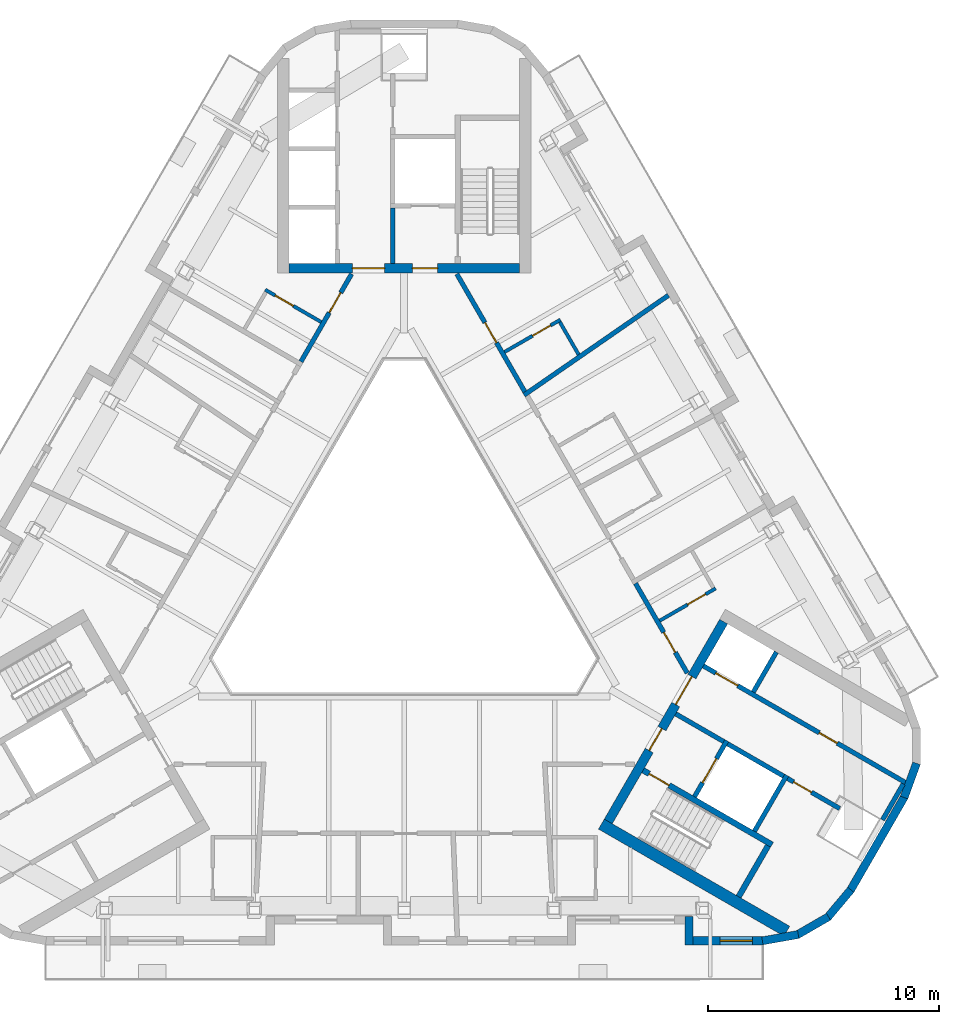
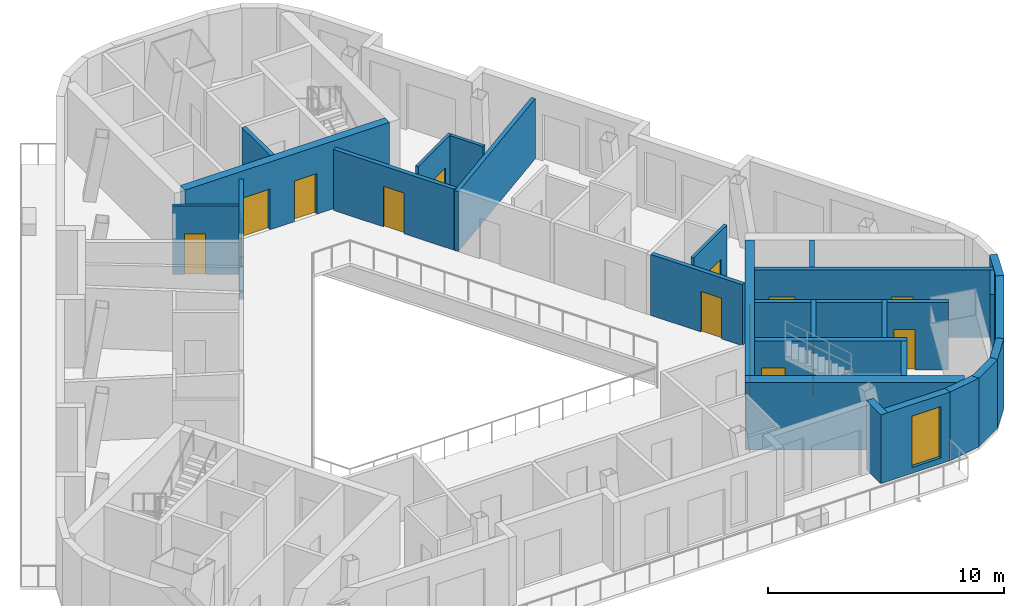
# One storey, part 5 of 11: 29 walls, 15 doors, 1 window, 16 openings.
"""IFC4 building model written with IfcOpenShell, lengths in metres."""

from ifc_helpers import new_model, si_unit, direction, frame, frame_2d, origin, place, context, subcontext, project, spatial, rectangle, extrude, material, layer, layer_set, type_object, element, fill, save


model = new_model("IFC4")

# Units and contexts
model_context = context("Model", 3, precision=1e-05, world=origin(), true_north=direction((0.0, 1.0)))
body_context = subcontext(model_context, "Body", "Model", "MODEL_VIEW")
ifc_project = project(units=[si_unit("LENGTHUNIT", "METRE"), si_unit("AREAUNIT", "SQUARE_METRE"), si_unit("VOLUMEUNIT", "CUBIC_METRE"), si_unit("PLANEANGLEUNIT", "RADIAN"), si_unit("MASSUNIT", "GRAM", prefix="KILO")], contexts=[model_context])

# Site, building, storey
site_placement = place(None, origin())
site = spatial("IfcSite", under=ifc_project, at=site_placement, CompositionType="ELEMENT")
building_placement = place(site_placement, origin())
building = spatial("IfcBuilding", under=site, at=building_placement, Name="Apuvela Tower Hotel", CompositionType="ELEMENT")
storey_placement = place(building_placement, frame((0.0, 0.0, 320.699951171875)))
storey = spatial("IfcBuildingStorey", under=building, at=storey_placement, Name="L80", CompositionType="ELEMENT", Elevation=320.699951171875)

# Wall, openings, doors
ifc_material_1 = material(Name="Concrete C50/60", Category="concrete")
ifc_layer_1 = layer(ifc_material_1, 0.39990234375)
ifc_layer_set_1 = layer_set([ifc_layer_1], Name="COR-WALL-CORE-400")
wall_type_1 = type_object("IfcWallType", Name="COR-WALL-CORE-400", PredefinedType="SHEAR", material=ifc_layer_set_1)
wall_1_placement = place(storey_placement, frame((5.0, 13.10009765625, 0.0), z_axis=(0.0, 0.0, 1.0), x_axis=(-1.0, 0.0, 0.0)))
wall_1 = element("IfcWall", 1, at=wall_1_placement, inside=storey, type_object=wall_type_1, Name="Core wall N", PredefinedType="SHEAR", context=body_context, shape_type="SweptSolid", body=[
    extrude(rectangle(XDim=10.0, YDim=0.39990234375, at=frame_2d((5.0, 0.0))), origin(), (0.0, 0.0, 1.0), 3.5),
])
opening_1_placement = place(wall_1_placement, frame((3.550048828125, 0.0, 0.0)))
opening_1 = element("IfcOpeningElement", 2, at=opening_1_placement, cuts=wall_1, Name="Opening N-FD", PredefinedType="OPENING", context=body_context, shape_type="SweptSolid", body=[
    extrude(rectangle(XDim=1.10009765625, YDim=2.10009765625, at=frame_2d((0.550048828125, 1.050048828125))), frame((0.0, 0.2099609375, 0.0), z_axis=(0.0, -1.0, 0.0), x_axis=(1.0, 0.0, 0.0)), (0.0, 0.0, 1.0), 0.419921875),
])
opening_2_placement = place(wall_1_placement, frame((5.85009765625, 0.0, 0.0)))
opening_2 = element("IfcOpeningElement", 3, at=opening_2_placement, cuts=wall_1, Name="Opening N-GD", PredefinedType="OPENING", context=body_context, shape_type="SweptSolid", body=[
    extrude(rectangle(XDim=1.39990234375, YDim=2.10009765625, at=frame_2d((0.699951171875, 1.050048828125))), frame((0.0, 0.2099609375, 0.0), z_axis=(0.0, -1.0, 0.0), x_axis=(1.0, 0.0, 0.0)), (0.0, 0.0, 1.0), 0.419921875),
])
ifc_material_2 = material(Name="Steel fire door, powder coated", Category="steel")
door_type_1 = type_object("IfcDoorType", Name="COR-FD-1100", OperationType="NOTDEFINED", PredefinedType="DOOR", material=ifc_material_2)
door_1_placement = place(opening_1_placement, frame((1.10009765625, 0.0, 0.0), z_axis=(0.0, 0.0, 1.0), x_axis=(-1.0, 0.0, 0.0)))
door_1 = element("IfcDoor", 4, at=door_1_placement, inside=storey, type_object=door_type_1, Name="Firefighting lobby door N-FD", OperationType="SINGLE_SWING_LEFT", OverallHeight=2.10009765625, OverallWidth=1.10009765625, PredefinedType="DOOR", context=body_context, shape_type="SweptSolid", body=[
    extrude(rectangle(XDim=1.10009765625, YDim=2.10009765625, at=frame_2d((0.550048828125, 1.050048828125))), frame((0.0, 0.02490234375, 0.0), z_axis=(0.0, -1.0, 0.0), x_axis=(1.0, 0.0, 0.0)), (0.0, 0.0, 1.0), 0.050048828125),
])
fill(opening_1, door_1)
ifc_material_3 = material(Name="Glazed steel fire door", Category="steel")
door_type_2 = type_object("IfcDoorType", Name="COR-GD-1400", OperationType="DOUBLE_DOOR_SINGLE_SWING", PredefinedType="DOOR", material=ifc_material_3)
door_2_placement = place(opening_2_placement, frame((1.39990234375, 0.0, 0.0), z_axis=(0.0, 0.0, 1.0), x_axis=(-1.0, 0.0, 0.0)))
door_2 = element("IfcDoor", 5, at=door_2_placement, inside=storey, type_object=door_type_2, Name="Lift lobby door N-GD", OperationType="DOUBLE_DOOR_SINGLE_SWING", OverallHeight=2.10009765625, OverallWidth=1.39990234375, PredefinedType="DOOR", context=body_context, shape_type="SweptSolid", body=[
    extrude(rectangle(XDim=1.39990234375, YDim=2.10009765625, at=frame_2d((0.699951171875, 1.050048828125))), frame((0.0, 0.02490234375, 0.0), z_axis=(0.0, -1.0, 0.0), x_axis=(1.0, 0.0, 0.0)), (0.0, 0.0, 1.0), 0.050048828125),
])
fill(opening_2, door_2)

wall_2_placement = place(storey_placement, frame((8.844970703125, -10.880126953125, 0.0), z_axis=(0.0, 0.0, 1.0), x_axis=(0.500004234368, 0.866022959057, 0.0)))
wall_2 = element("IfcWall", 6, at=wall_2_placement, inside=storey, type_object=wall_type_1, Name="Core wall SE", PredefinedType="SHEAR", context=body_context, shape_type="SweptSolid", body=[
    extrude(rectangle(XDim=10.0, YDim=0.39990234375, at=frame_2d((5.0, 0.0))), origin(), (0.0, 0.0, 1.0), 3.5),
])
opening_3_placement = place(wall_2_placement, frame((3.550048828125, 0.0, 0.0)))
opening_3 = element("IfcOpeningElement", 7, at=opening_3_placement, cuts=wall_2, Name="Opening E-FD", PredefinedType="OPENING", context=body_context, shape_type="SweptSolid", body=[
    extrude(rectangle(XDim=1.10009765625, YDim=2.10009765625, at=frame_2d((0.550048828125, 1.050048828125))), frame((0.0, 0.2099609375, 0.0), z_axis=(0.0, -1.0, 0.0), x_axis=(1.0, 0.0, 0.0)), (0.0, 0.0, 1.0), 0.419921875),
])
opening_4_placement = place(wall_2_placement, frame((5.85009765625, 0.0, 0.0)))
opening_4 = element("IfcOpeningElement", 8, at=opening_4_placement, cuts=wall_2, Name="Opening E-GD", PredefinedType="OPENING", context=body_context, shape_type="SweptSolid", body=[
    extrude(rectangle(XDim=1.39990234375, YDim=2.10009765625, at=frame_2d((0.699951171875, 1.050048828125))), frame((0.0, 0.2099609375, 0.0), z_axis=(0.0, -1.0, 0.0), x_axis=(1.0, 0.0, 0.0)), (0.0, 0.0, 1.0), 0.419921875),
])
door_3_placement = place(opening_3_placement, frame((1.10009765625, 0.0, 0.0), z_axis=(0.0, 0.0, 1.0), x_axis=(-1.0, 0.0, 0.0)))
door_3 = element("IfcDoor", 9, at=door_3_placement, inside=storey, type_object=door_type_1, Name="Firefighting lobby door E-FD", OperationType="SINGLE_SWING_LEFT", OverallHeight=2.10009765625, OverallWidth=1.10009765625, PredefinedType="DOOR", context=body_context, shape_type="SweptSolid", body=[
    extrude(rectangle(XDim=1.10009765625, YDim=2.10009765625, at=frame_2d((0.550048828125, 1.050048828125))), frame((0.0, 0.02490234375, 0.0), z_axis=(0.0, -1.0, 0.0), x_axis=(1.0, 0.0, 0.0)), (0.0, 0.0, 1.0), 0.050048828125),
])
fill(opening_3, door_3)
door_4_placement = place(opening_4_placement, frame((1.39990234375, 0.0, 0.0), z_axis=(0.0, 0.0, 1.0), x_axis=(-1.0, 0.0, 0.0)))
door_4 = element("IfcDoor", 10, at=door_4_placement, inside=storey, type_object=door_type_2, Name="Lift lobby door E-GD", OperationType="DOUBLE_DOOR_SINGLE_SWING", OverallHeight=2.10009765625, OverallWidth=1.39990234375, PredefinedType="DOOR", context=body_context, shape_type="SweptSolid", body=[
    extrude(rectangle(XDim=1.39990234375, YDim=2.10009765625, at=frame_2d((0.699951171875, 1.050048828125))), frame((0.0, 0.02490234375, 0.0), z_axis=(0.0, -1.0, 0.0), x_axis=(1.0, 0.0, 0.0)), (0.0, 0.0, 1.0), 0.050048828125),
])
fill(opening_4, door_4)

# Walls
ifc_layer_2 = layer(ifc_material_1, 0.5)
ifc_layer_set_2 = layer_set([ifc_layer_2], Name="COR-WALL-CORE-500")
wall_type_2 = type_object("IfcWallType", Name="COR-WALL-CORE-500", PredefinedType="SHEAR", material=ifc_layer_set_2)
wall_3_placement = place(storey_placement, frame((8.546630859375, -10.99658203125, 0.0), z_axis=(0.0, 0.0, 1.0), x_axis=(0.866025286072, -0.500000203884, 0.0)))
element("IfcWall", 11, at=wall_3_placement, inside=storey, type_object=wall_type_2, Name="Core wall SE", PredefinedType="SHEAR", context=body_context, shape_type="SweptSolid", body=[
    extrude(rectangle(XDim=9.28271484375, YDim=0.5, at=frame_2d((4.641357421875, 0.0))), origin(), (0.0, 0.0, 1.0), 3.5),
])
ifc_layer_3 = layer(ifc_material_1, 0.199951171875)
ifc_layer_set_3 = layer_set([ifc_layer_3], Name="COR-WALL-SHAFT-200")
wall_type_3 = type_object("IfcWallType", Name="COR-WALL-SHAFT-200", PredefinedType="SHEAR", material=ifc_layer_set_3)
wall_4_placement = place(storey_placement, frame((-0.5, 13.300048828125, 0.0), z_axis=(0.0, 0.0, 1.0), x_axis=(0.0, 1.0, 0.0)))
element("IfcWall", 12, at=wall_4_placement, inside=storey, type_object=wall_type_3, Name="Shaft wall N", PredefinedType="SHEAR", context=body_context, shape_type="SweptSolid", body=[
    extrude(rectangle(XDim=2.39990234375, YDim=0.199951171875, at=frame_2d((1.199951171875, 0.0))), origin(), (0.0, 0.0, 1.0), 3.5),
])
wall_5_placement = place(storey_placement, frame((15.181396484375, -11.305419921875, 0.0), z_axis=(0.0, 0.0, 1.0), x_axis=(0.49994636267, 0.866056369097, 0.0)))
element("IfcWall", 13, at=wall_5_placement, inside=storey, type_object=wall_type_3, Name="Shaft wall SE", PredefinedType="SHEAR", context=body_context, shape_type="SweptSolid", body=[
    extrude(rectangle(XDim=2.800048828125, YDim=0.199951171875, at=frame_2d((1.39990234375, 0.0))), origin(), (0.0, 0.0, 1.0), 3.5),
])

# Wall, opening, door
wall_6_placement = place(storey_placement, frame((12.583251953125, -9.805419921875, 0.0), z_axis=(0.0, 0.0, 1.0), x_axis=(0.49994636267, 0.866056369097, 0.0)))
wall_6 = element("IfcWall", 14, at=wall_6_placement, inside=storey, type_object=wall_type_3, Name="Shaft wall SE", PredefinedType="SHEAR", context=body_context, shape_type="SweptSolid", body=[
    extrude(rectangle(XDim=2.800048828125, YDim=0.199951171875, at=frame_2d((1.39990234375, 0.0))), origin(), (0.0, 0.0, 1.0), 3.5),
])
opening_5_placement = place(wall_6_placement, frame((0.699951171875, 0.0, 0.0)))
opening_5 = element("IfcOpeningElement", 15, at=opening_5_placement, cuts=wall_6, Name="Opening E-LD-FS3", PredefinedType="OPENING", context=body_context, shape_type="SweptSolid", body=[
    extrude(rectangle(XDim=1.199951171875, YDim=2.10009765625, at=frame_2d((0.60009765625, 1.050048828125))), frame((0.0, 0.10986328125, 0.0), z_axis=(0.0, -1.0, 0.0), x_axis=(1.0, 0.0, 0.0)), (0.0, 0.0, 1.0), 0.219970703125),
])
ifc_material_4 = material(Name="Stainless steel lift landing door", Category="steel")
door_type_3 = type_object("IfcDoorType", Name="COR-LD-1200", OperationType="DOUBLE_DOOR_SLIDING", PredefinedType="DOOR", material=ifc_material_4)
door_5_placement = place(opening_5_placement, origin())
door_5 = element("IfcDoor", 16, at=door_5_placement, inside=storey, type_object=door_type_3, Name="Lift landing door E-LD-FS3", OperationType="DOUBLE_DOOR_SLIDING", OverallHeight=2.10009765625, OverallWidth=1.199951171875, PredefinedType="DOOR", context=body_context, shape_type="SweptSolid", body=[
    extrude(rectangle(XDim=1.199951171875, YDim=2.10009765625, at=frame_2d((0.60009765625, 1.050048828125))), frame((0.0, 0.02490234375, 0.0), z_axis=(0.0, -1.0, 0.0), x_axis=(1.0, 0.0, 0.0)), (0.0, 0.0, 1.0), 0.050048828125),
])
fill(opening_5, door_5)

# Walls
wall_7_placement = place(storey_placement, frame((11.76806640625, -6.217041015625, 0.0), z_axis=(0.0, 0.0, 1.0), x_axis=(0.866050077142, -0.499957262057, 0.0)))
element("IfcWall", 17, at=wall_7_placement, inside=storey, type_object=wall_type_3, Name="Shaft wall SE", PredefinedType="SHEAR", context=body_context, shape_type="SweptSolid", body=[
    extrude(rectangle(XDim=2.400146484375, YDim=0.199951171875, at=frame_2d((1.2001953125, 0.0))), origin(), (0.0, 0.0, 1.0), 3.5),
])
wall_8_placement = place(storey_placement, frame((14.019775390625, -7.51708984375, 0.0), z_axis=(0.0, 0.0, 1.0), x_axis=(0.866034573852, -0.49998411664, 0.0)))
element("IfcWall", 18, at=wall_8_placement, inside=storey, type_object=wall_type_3, Name="Shaft wall SE", PredefinedType="SHEAR", context=body_context, shape_type="SweptSolid", body=[
    extrude(rectangle(XDim=2.7998046875, YDim=0.199951171875, at=frame_2d((1.39990234375, 0.0))), origin(), (0.0, 0.0, 1.0), 3.5),
])

# Wall, openings, doors
wall_9_placement = place(storey_placement, frame((12.968017578125, -4.138427734375, 0.0), z_axis=(0.0, 0.0, 1.0), x_axis=(0.866025710499, -0.499999468754, 0.0)))
wall_9 = element("IfcWall", 19, at=wall_9_placement, inside=storey, type_object=wall_type_3, Name="Shaft wall SE", PredefinedType="SHEAR", context=body_context, shape_type="SweptSolid", body=[
    extrude(rectangle(XDim=10.12109375, YDim=0.199951171875, at=frame_2d((5.060546875, 0.0))), origin(), (0.0, 0.0, 1.0), 3.5),
])
opening_6_placement = place(wall_9_placement, frame((0.6201171875, 0.0, 0.0)))
opening_6 = element("IfcOpeningElement", 20, at=opening_6_placement, cuts=wall_9, Name="Opening E-LD-HR3", PredefinedType="OPENING", context=body_context, shape_type="SweptSolid", body=[
    extrude(rectangle(XDim=1.10009765625, YDim=2.10009765625, at=frame_2d((0.550048828125, 1.050048828125))), frame((0.0, 0.10986328125, 0.0), z_axis=(0.0, -1.0, 0.0), x_axis=(1.0, 0.0, 0.0)), (0.0, 0.0, 1.0), 0.219970703125),
])
opening_7_placement = place(wall_9_placement, frame((5.800048828125, 0.0, 0.0)))
opening_7 = element("IfcOpeningElement", 21, at=opening_7_placement, cuts=wall_9, Name="Opening E-RE2", PredefinedType="OPENING", context=body_context, shape_type="SweptSolid", body=[
    extrude(rectangle(XDim=0.89990234375, YDim=2.10009765625, at=frame_2d((0.449951171875, 1.050048828125))), frame((0.0, 0.10986328125, 0.0), z_axis=(0.0, -1.0, 0.0), x_axis=(1.0, 0.0, 0.0)), (0.0, 0.0, 1.0), 0.219970703125),
])
door_type_4 = type_object("IfcDoorType", Name="COR-DR-900", OperationType="NOTDEFINED", PredefinedType="DOOR", material=ifc_material_2)
door_6_placement = place(opening_7_placement, origin())
door_6 = element("IfcDoor", 22, at=door_6_placement, inside=storey, type_object=door_type_4, Name="Store door E-RE2", OperationType="SINGLE_SWING_LEFT", OverallHeight=2.10009765625, OverallWidth=0.89990234375, PredefinedType="DOOR", context=body_context, shape_type="SweptSolid", body=[
    extrude(rectangle(XDim=0.89990234375, YDim=2.10009765625, at=frame_2d((0.449951171875, 1.050048828125))), frame((0.0, 0.02490234375, 0.0), z_axis=(0.0, -1.0, 0.0), x_axis=(1.0, 0.0, 0.0)), (0.0, 0.0, 1.0), 0.050048828125),
])
fill(opening_7, door_6)
door_type_5 = type_object("IfcDoorType", Name="COR-LD-1100", OperationType="DOUBLE_DOOR_SLIDING", PredefinedType="DOOR", material=ifc_material_4)
door_7_placement = place(opening_6_placement, origin())
door_7 = element("IfcDoor", 23, at=door_7_placement, inside=storey, type_object=door_type_5, Name="Lift landing door E-LD-HR3", OperationType="DOUBLE_DOOR_SLIDING", OverallHeight=2.10009765625, OverallWidth=1.10009765625, PredefinedType="DOOR", context=body_context, shape_type="SweptSolid", body=[
    extrude(rectangle(XDim=1.10009765625, YDim=2.10009765625, at=frame_2d((0.550048828125, 1.050048828125))), frame((0.0, 0.02490234375, 0.0), z_axis=(0.0, -1.0, 0.0), x_axis=(1.0, 0.0, 0.0)), (0.0, 0.0, 1.0), 0.050048828125),
])
fill(opening_6, door_7)

# Wall
wall_10_placement = place(storey_placement, frame((20.73046875, -10.81396484375, 0.0), z_axis=(0.0, 0.0, 1.0), x_axis=(0.499961193289, 0.866047807691, 0.0)))
element("IfcWall", 24, at=wall_10_placement, inside=storey, type_object=wall_type_3, Name="Shaft wall SE", PredefinedType="SHEAR", context=body_context, shape_type="SweptSolid", body=[
    extrude(rectangle(XDim=1.800048828125, YDim=0.199951171875, at=frame_2d((0.89990234375, 0.0))), origin(), (0.0, 0.0, 1.0), 3.5),
])

# Wall, opening, door
wall_11_placement = place(storey_placement, frame((16.617919921875, -9.01708984375, 0.0), z_axis=(0.0, 0.0, 1.0), x_axis=(0.866045268016, -0.499965592563, 0.0)))
wall_11 = element("IfcWall", 25, at=wall_11_placement, inside=storey, type_object=wall_type_3, Name="Shaft wall SE", PredefinedType="SHEAR", context=body_context, shape_type="SweptSolid", body=[
    extrude(rectangle(XDim=2.607666015625, YDim=0.199951171875, at=frame_2d((1.3037109375, 0.0))), origin(), (0.0, 0.0, 1.0), 3.5),
])
opening_8_placement = place(wall_11_placement, frame((0.300048828125, 0.0, 0.0)))
opening_8 = element("IfcOpeningElement", 26, at=opening_8_placement, cuts=wall_11, Name="Opening E-RDU", PredefinedType="OPENING", context=body_context, shape_type="SweptSolid", body=[
    extrude(rectangle(XDim=0.89990234375, YDim=2.10009765625, at=frame_2d((0.449951171875, 1.050048828125))), frame((0.0, 0.10986328125, 0.0), z_axis=(0.0, -1.0, 0.0), x_axis=(1.0, 0.0, 0.0)), (0.0, 0.0, 1.0), 0.219970703125),
])
door_8_placement = place(opening_8_placement, frame((0.89990234375, 0.0, 0.0), z_axis=(0.0, 0.0, 1.0), x_axis=(-1.0, 0.0, 0.0)))
door_8 = element("IfcDoor", 27, at=door_8_placement, inside=storey, type_object=door_type_4, Name="Store door E-RDU", OperationType="SINGLE_SWING_RIGHT", OverallHeight=2.10009765625, OverallWidth=0.89990234375, PredefinedType="DOOR", context=body_context, shape_type="SweptSolid", body=[
    extrude(rectangle(XDim=0.89990234375, YDim=2.10009765625, at=frame_2d((0.449951171875, 1.050048828125))), frame((0.0, 0.02490234375, 0.0), z_axis=(0.0, -1.0, 0.0), x_axis=(1.0, 0.0, 0.0)), (0.0, 0.0, 1.0), 0.050048828125),
])
fill(opening_8, door_8)

# Wall
wall_12_placement = place(storey_placement, frame((15.131103515625, -5.27197265625, 0.0), z_axis=(0.0, 0.0, 1.0), x_axis=(0.499972520799, 0.866041268327, 0.0)))
element("IfcWall", 28, at=wall_12_placement, inside=storey, type_object=wall_type_3, Name="Shaft wall SE", PredefinedType="SHEAR", context=body_context, shape_type="SweptSolid", body=[
    extrude(rectangle(XDim=2.0, YDim=0.199951171875, at=frame_2d((1.0, 0.0))), origin(), (0.0, 0.0, 1.0), 3.5),
])

# Wall, opening, door
ifc_layer_4 = layer(ifc_material_1, 0.25)
ifc_layer_set_4 = layer_set([ifc_layer_4], Name="COR-WALL-STAIR-250")
wall_type_4 = type_object("IfcWallType", Name="COR-WALL-STAIR-250", PredefinedType="SHEAR", material=ifc_layer_set_4)
wall_13_placement = place(storey_placement, frame((10.355712890625, -8.66357421875, 0.0), z_axis=(0.0, 0.0, 1.0), x_axis=(0.866028629588, -0.499994412703, 0.0)))
wall_13 = element("IfcWall", 29, at=wall_13_placement, inside=storey, type_object=wall_type_4, Name="Stair wall SE", PredefinedType="SHEAR", context=body_context, shape_type="SweptSolid", body=[
    extrude(rectangle(XDim=6.44970703125, YDim=0.25, at=frame_2d((3.224853515625, 0.0))), origin(), (0.0, 0.0, 1.0), 3.5),
])
opening_9_placement = place(wall_13_placement, frame((0.300048828125, 0.0, 0.0)))
opening_9 = element("IfcOpeningElement", 30, at=opening_9_placement, cuts=wall_13, Name="Opening E-SD", PredefinedType="OPENING", context=body_context, shape_type="SweptSolid", body=[
    extrude(rectangle(XDim=1.0, YDim=2.10009765625, at=frame_2d((0.5, 1.050048828125))), frame((0.0, 0.135009765625, 0.0), z_axis=(0.0, -1.0, 0.0), x_axis=(1.0, 0.0, 0.0)), (0.0, 0.0, 1.0), 0.27001953125),
])
door_type_6 = type_object("IfcDoorType", Name="COR-SD-1000", OperationType="NOTDEFINED", PredefinedType="DOOR", material=ifc_material_2)
door_9_placement = place(opening_9_placement, frame((1.0, 0.0, 0.0), z_axis=(0.0, 0.0, 1.0), x_axis=(-1.0, 0.0, 0.0)))
door_9 = element("IfcDoor", 31, at=door_9_placement, inside=storey, type_object=door_type_6, Name="Stair door E-SD", OperationType="SINGLE_SWING_LEFT", OverallHeight=2.10009765625, OverallWidth=1.0, PredefinedType="DOOR", context=body_context, shape_type="SweptSolid", body=[
    extrude(rectangle(XDim=1.0, YDim=2.10009765625, at=frame_2d((0.5, 1.050048828125))), frame((0.0, 0.02490234375, 0.0), z_axis=(0.0, -1.0, 0.0), x_axis=(1.0, 0.0, 0.0)), (0.0, 0.0, 1.0), 0.050048828125),
])
fill(opening_9, door_9)

# Walls
wall_14_placement = place(storey_placement, frame((14.49560546875, -14.142578125, 0.0), z_axis=(0.0, 0.0, 1.0), x_axis=(0.500062241894, 0.865989465428, 0.0)))
element("IfcWall", 32, at=wall_14_placement, inside=storey, type_object=wall_type_4, Name="Stair wall SE", PredefinedType="SHEAR", context=body_context, shape_type="SweptSolid", body=[
    extrude(rectangle(XDim=2.550048828125, YDim=0.25, at=frame_2d((1.27490234375, 0.0))), origin(), (0.0, 0.0, 1.0), 3.5),
])
ifc_material_5 = material(Name="Concrete C40/50, dark pigmented precast panel", Category="concrete")
ifc_layer_5 = layer(ifc_material_5, 0.35009765625)
ifc_layer_set_5 = layer_set([ifc_layer_5], Name="ENV-WALL-350")
wall_type_5 = type_object("IfcWallType", Name="ENV-WALL-350", PredefinedType="SOLIDWALL", material=ifc_layer_set_5)
wall_15_placement = place(storey_placement, frame((12.33642578125, -15.007568359375, 0.0), z_axis=(0.0, 0.0, 1.0), x_axis=(0.0, -1.0, 0.0)))
element("IfcWall", 33, at=wall_15_placement, inside=storey, type_object=wall_type_5, Name="External wall L80-24", PredefinedType="SOLIDWALL", context=body_context, shape_type="SweptSolid", body=[
    extrude(rectangle(XDim=1.219970703125, YDim=0.35009765625, at=frame_2d((0.60986328125, 0.0))), origin(), (0.0, 0.0, 1.0), 3.550048828125),
])

# Wall, opening, window
wall_16_placement = place(storey_placement, frame((12.161376953125, -16.052490234375, 0.0), z_axis=(0.0, 0.0, 1.0), x_axis=(1.0, 0.0, 0.0)))
wall_16 = element("IfcWall", 34, at=wall_16_placement, inside=storey, type_object=wall_type_5, Name="External wall L80-25", PredefinedType="SOLIDWALL", context=body_context, shape_type="SweptSolid", body=[
    extrude(rectangle(XDim=3.39306640625, YDim=0.35009765625, at=frame_2d((1.696533203125, 0.0))), origin(), (0.0, 0.0, 1.0), 3.550048828125),
])
opening_10_placement = place(wall_16_placement, frame((1.530517578125, 0.0, 0.300048828125)))
opening_10 = element("IfcOpeningElement", 35, at=opening_10_placement, cuts=wall_16, Name="Opening WN14", PredefinedType="OPENING", context=body_context, shape_type="SweptSolid", body=[
    extrude(rectangle(XDim=1.39990234375, YDim=2.64990234375, at=frame_2d((0.699951171875, 1.324951171875))), frame((0.0, 0.18505859375, 0.0), z_axis=(0.0, -1.0, 0.0), x_axis=(1.0, 0.0, 0.0)), (0.0, 0.0, 1.0), 0.3701171875),
])
ifc_material_6 = material(Name="Glass, dark tinted laminated insulated glazing unit", Category="glass")
window_type = type_object("IfcWindowType", Name="ENV-WIN-1400x2650", PartitioningType="SINGLE_PANEL", PredefinedType="WINDOW", material=ifc_material_6)
window_placement = place(opening_10_placement, origin())
window = element("IfcWindow", 36, at=window_placement, inside=storey, type_object=window_type, Name="Window WN14", OverallHeight=2.64990234375, OverallWidth=1.39990234375, PartitioningType="SINGLE_PANEL", PredefinedType="WINDOW", context=body_context, shape_type="SweptSolid", body=[
    extrude(rectangle(XDim=1.39990234375, YDim=2.64990234375, at=frame_2d((0.699951171875, 1.324951171875))), frame((0.0, 0.030029296875, 0.0), z_axis=(0.0, -1.0, 0.0), x_axis=(1.0, 0.0, 0.0)), (0.0, 0.0, 1.0), 0.06005859375),
])
fill(opening_10, window)

# Walls
for number, where, z_axis, x_axis, name in (
    (37, (15.52392578125, -16.05517578125, 0.0), (0.0, 0.0, 1.0), (0.984813116036, 0.173617759703, 0.0), "External wall L80-26"),
    (38, (17.02197265625, -15.8017578125, 0.0), (0.0, 0.0, 1.0), (0.866007919525, 0.500030282404, 0.0), "External wall L80-27"),
    (39, (18.343017578125, -15.05126953125, 0.0), (0.0, 0.0, 1.0), (0.642720587594, 0.766100676336, 0.0), "External wall L80-28"),
):
    element("IfcWall", number, at=place(storey_placement, frame(where, z_axis=z_axis, x_axis=x_axis)), inside=storey, type_object=wall_type_5, Name=name, PredefinedType="SOLIDWALL", context=body_context, shape_type="SweptSolid", body=[
        extrude(rectangle(XDim=1.5791015625, YDim=0.35009765625, at=frame_2d((0.78955078125, 0.0))), origin(), (0.0, 0.0, 1.0), 3.550048828125),
    ])
wall_17_placement = place(storey_placement, frame((19.34033203125, -13.86669921875, 0.0), z_axis=(0.0, 0.0, 1.0), x_axis=(0.500023656998, 0.86601174498, 0.0)))
element("IfcWall", 40, at=wall_17_placement, inside=storey, type_object=wall_type_5, Name="External wall L80-29", PredefinedType="SOLIDWALL", context=body_context, shape_type="SweptSolid", body=[
    extrude(rectangle(XDim=4.677490234375, YDim=0.35009765625, at=frame_2d((2.3388671875, 0.0))), origin(), (0.0, 0.0, 1.0), 3.550048828125),
])
wall_18_placement = place(storey_placement, frame((21.666259765625, -9.84375, 0.0), z_axis=(0.0, 0.0, 1.0), x_axis=(0.341991325642, 0.939703109065, 0.0)))
element("IfcWall", 41, at=wall_18_placement, inside=storey, type_object=wall_type_5, Name="External wall L80-30", PredefinedType="SOLIDWALL", context=body_context, shape_type="SweptSolid", body=[
    extrude(rectangle(XDim=1.5791015625, YDim=0.35009765625, at=frame_2d((0.78955078125, 0.0))), origin(), (0.0, 0.0, 1.0), 3.550048828125),
])
ifc_material_7 = material(Name="Gypsum board partition on twin steel stud", Category="steel")
ifc_layer_6 = layer(ifc_material_7, 0.199951171875)
ifc_layer_set_6 = layer_set([ifc_layer_6], Name="GST-PW1")
wall_type_6 = type_object("IfcWallType", Name="GST-PW1", PredefinedType="PARTITIONING", material=ifc_layer_set_6)
wall_19_placement = place(storey_placement, frame((11.4501953125, 11.922607421875, 0.0), z_axis=(0.0, 0.0, 1.0), x_axis=(-0.822640491705, -0.56856188881, 0.0)))
element("IfcWall", 42, at=wall_19_placement, inside=storey, type_object=wall_type_6, Name="L80 partition 07", PredefinedType="PARTITIONING", context=body_context, shape_type="SweptSolid", body=[
    extrude(rectangle(XDim=7.6025390625, YDim=0.199951171875, at=frame_2d((3.80126953125, 0.0))), origin(), (0.0, 0.0, 1.0), 3.10009765625),
])

# Wall, opening, door
ifc_material_8 = material(Name="Gypsum board corridor wall on twin steel stud, acoustic", Category="steel")
ifc_layer_7 = layer(ifc_material_8, 0.199951171875)
ifc_layer_set_7 = layer_set([ifc_layer_7], Name="GST-PW2")
wall_type_7 = type_object("IfcWallType", Name="GST-PW2", PredefinedType="PARTITIONING", material=ifc_layer_set_7)
wall_20_placement = place(storey_placement, frame((10.024658203125, -0.56298828125, 0.0), z_axis=(0.0, 0.0, 1.0), x_axis=(0.500000259638, -0.866025253883, 0.0)))
wall_20 = element("IfcWall", 43, at=wall_20_placement, inside=storey, type_object=wall_type_7, Name="L80 partition 22", PredefinedType="PARTITIONING", context=body_context, shape_type="SweptSolid", body=[
    extrude(rectangle(XDim=4.48828125, YDim=0.199951171875, at=frame_2d((2.244140625, 0.0))), origin(), (0.0, 0.0, 1.0), 3.150146484375),
])
opening_11_placement = place(wall_20_placement, frame((2.449951171875, 0.0, 0.0)))
opening_11 = element("IfcOpeningElement", 44, at=opening_11_placement, cuts=wall_20, Name="Opening GD34-09", PredefinedType="OPENING", context=body_context, shape_type="SweptSolid", body=[
    extrude(rectangle(XDim=1.0, YDim=2.10009765625, at=frame_2d((0.5, 1.050048828125))), frame((0.0, 0.10986328125, 0.0), z_axis=(0.0, -1.0, 0.0), x_axis=(1.0, 0.0, 0.0)), (0.0, 0.0, 1.0), 0.219970703125),
])
ifc_material_9 = material(Name="Timber door leaf in steel frame", Category="steel")
door_type_7 = type_object("IfcDoorType", Name="GST-D1", OperationType="NOTDEFINED", PredefinedType="DOOR", material=ifc_material_9)
door_10_placement = place(opening_11_placement, origin())
door_10 = element("IfcDoor", 45, at=door_10_placement, inside=storey, type_object=door_type_7, Name="Door L80-09", OperationType="SINGLE_SWING_RIGHT", OverallHeight=2.10009765625, OverallWidth=1.0, PredefinedType="DOOR", context=body_context, shape_type="SweptSolid", body=[
    extrude(rectangle(XDim=1.0, YDim=2.10009765625, at=frame_2d((0.5, 1.050048828125))), frame((0.0, 0.02490234375, 0.0), z_axis=(0.0, -1.0, 0.0), x_axis=(1.0, 0.0, 0.0)), (0.0, 0.0, 1.0), 0.050048828125),
])
fill(opening_11, door_10)

wall_21_placement = place(storey_placement, frame((2.280517578125, 12.85009765625, 0.0), z_axis=(0.0, 0.0, 1.0), x_axis=(0.499991277142, -0.86603043987, 0.0)))
wall_21 = element("IfcWall", 46, at=wall_21_placement, inside=storey, type_object=wall_type_7, Name="L80 partition 31", PredefinedType="PARTITIONING", context=body_context, shape_type="SweptSolid", body=[
    extrude(rectangle(XDim=5.89599609375, YDim=0.199951171875, at=frame_2d((2.947998046875, 0.0))), origin(), (0.0, 0.0, 1.0), 3.150146484375),
])
opening_12_placement = place(wall_21_placement, frame((2.437744140625, 0.0, 0.0)))
opening_12 = element("IfcOpeningElement", 47, at=opening_12_placement, cuts=wall_21, Name="Opening GD34-15", PredefinedType="OPENING", context=body_context, shape_type="SweptSolid", body=[
    extrude(rectangle(XDim=1.0, YDim=2.10009765625, at=frame_2d((0.5, 1.050048828125))), frame((0.0, 0.10986328125, 0.0), z_axis=(0.0, -1.0, 0.0), x_axis=(1.0, 0.0, 0.0)), (0.0, 0.0, 1.0), 0.219970703125),
])
door_11_placement = place(opening_12_placement, origin())
door_11 = element("IfcDoor", 48, at=door_11_placement, inside=storey, type_object=door_type_7, Name="Door L80-15", OperationType="SINGLE_SWING_LEFT", OverallHeight=2.10009765625, OverallWidth=1.0, PredefinedType="DOOR", context=body_context, shape_type="SweptSolid", body=[
    extrude(rectangle(XDim=1.0, YDim=2.10009765625, at=frame_2d((0.5, 1.050048828125))), frame((0.0, 0.02490234375, 0.0), z_axis=(0.0, -1.0, 0.0), x_axis=(1.0, 0.0, 0.0)), (0.0, 0.0, 1.0), 0.050048828125),
])
fill(opening_12, door_11)

wall_22_placement = place(storey_placement, frame((-4.474609375, 9.0498046875, 0.0), z_axis=(0.0, 0.0, 1.0), x_axis=(0.499998569178, 0.866026229868, 0.0)))
wall_22 = element("IfcWall", 49, at=wall_22_placement, inside=storey, type_object=wall_type_7, Name="L80 partition 34", PredefinedType="PARTITIONING", context=body_context, shape_type="SweptSolid", body=[
    extrude(rectangle(XDim=4.38818359375, YDim=0.199951171875, at=frame_2d((2.194091796875, 0.0))), origin(), (0.0, 0.0, 1.0), 3.150146484375),
])
opening_13_placement = place(wall_22_placement, frame((2.449951171875, 0.0, 0.0)))
opening_13 = element("IfcOpeningElement", 50, at=opening_13_placement, cuts=wall_22, Name="Opening GD34-17", PredefinedType="OPENING", context=body_context, shape_type="SweptSolid", body=[
    extrude(rectangle(XDim=1.0, YDim=2.10009765625, at=frame_2d((0.5, 1.050048828125))), frame((0.0, 0.10986328125, 0.0), z_axis=(0.0, -1.0, 0.0), x_axis=(1.0, 0.0, 0.0)), (0.0, 0.0, 1.0), 0.219970703125),
])
door_12_placement = place(opening_13_placement, origin())
door_12 = element("IfcDoor", 51, at=door_12_placement, inside=storey, type_object=door_type_7, Name="Door L80-17", OperationType="SINGLE_SWING_RIGHT", OverallHeight=2.10009765625, OverallWidth=1.0, PredefinedType="DOOR", context=body_context, shape_type="SweptSolid", body=[
    extrude(rectangle(XDim=1.0, YDim=2.10009765625, at=frame_2d((0.5, 1.050048828125))), frame((0.0, 0.02490234375, 0.0), z_axis=(0.0, -1.0, 0.0), x_axis=(1.0, 0.0, 0.0)), (0.0, 0.0, 1.0), 0.050048828125),
])
fill(opening_13, door_12)

ifc_material_10 = material(Name="Moisture-resistant gypsum board wet wall on steel stud", Category="steel")
ifc_layer_8 = layer(ifc_material_10, 0.14990234375)
ifc_layer_set_8 = layer_set([ifc_layer_8], Name="GST-PW3")
wall_type_8 = type_object("IfcWallType", Name="GST-PW3", PredefinedType="PARTITIONING", material=ifc_layer_set_8)
wall_23_placement = place(storey_placement, frame((11.07373046875, -2.18017578125, 0.0), z_axis=(0.0, 0.0, 1.0), x_axis=(0.866034573852, 0.49998411664, 0.0)))
wall_23 = element("IfcWall", 52, at=wall_23_placement, inside=storey, type_object=wall_type_8, Name="L80 partition 23", PredefinedType="PARTITIONING", context=body_context, shape_type="SweptSolid", body=[
    extrude(rectangle(XDim=2.7998046875, YDim=0.14990234375, at=frame_2d((1.39990234375, 0.0))), origin(), (0.0, 0.0, 1.0), 3.550048828125),
])
opening_14_placement = place(wall_23_placement, frame((1.39990234375, 0.0, 0.0)))
opening_14 = element("IfcOpeningElement", 53, at=opening_14_placement, cuts=wall_23, Name="Opening GD34-08", PredefinedType="OPENING", context=body_context, shape_type="SweptSolid", body=[
    extrude(rectangle(XDim=0.89990234375, YDim=2.10009765625, at=frame_2d((0.449951171875, 1.050048828125))), frame((0.0, 0.0849609375, 0.0), z_axis=(0.0, -1.0, 0.0), x_axis=(1.0, 0.0, 0.0)), (0.0, 0.0, 1.0), 0.169921875),
])
door_type_8 = type_object("IfcDoorType", Name="GST-D2", OperationType="NOTDEFINED", PredefinedType="DOOR", material=ifc_material_9)
door_13_placement = place(opening_14_placement, origin())
door_13 = element("IfcDoor", 54, at=door_13_placement, inside=storey, type_object=door_type_8, Name="Door L80-08", OperationType="SINGLE_SWING_RIGHT", OverallHeight=2.10009765625, OverallWidth=0.89990234375, PredefinedType="DOOR", context=body_context, shape_type="SweptSolid", body=[
    extrude(rectangle(XDim=0.89990234375, YDim=2.10009765625, at=frame_2d((0.449951171875, 1.050048828125))), frame((0.0, 0.02490234375, 0.0), z_axis=(0.0, -1.0, 0.0), x_axis=(1.0, 0.0, 0.0)), (0.0, 0.0, 1.0), 0.050048828125),
])
fill(opening_14, door_13)

wall_24_placement = place(storey_placement, frame((6.7734375, 10.8681640625, 0.0), z_axis=(0.0, 0.0, 1.0), x_axis=(-0.865996816683, -0.500049511043, 0.0)))
wall_24 = element("IfcWall", 55, at=wall_24_placement, inside=storey, type_object=wall_type_8, Name="L80 partition 32", PredefinedType="PARTITIONING", context=body_context, shape_type="SweptSolid", body=[
    extrude(rectangle(XDim=2.800048828125, YDim=0.14990234375, at=frame_2d((1.39990234375, 0.0))), origin(), (0.0, 0.0, 1.0), 3.550048828125),
])
opening_15_placement = place(wall_24_placement, frame((0.5, 0.0, 0.0)))
opening_15 = element("IfcOpeningElement", 56, at=opening_15_placement, cuts=wall_24, Name="Opening GD34-14", PredefinedType="OPENING", context=body_context, shape_type="SweptSolid", body=[
    extrude(rectangle(XDim=0.89990234375, YDim=2.10009765625, at=frame_2d((0.449951171875, 1.050048828125))), frame((0.0, 0.0849609375, 0.0), z_axis=(0.0, -1.0, 0.0), x_axis=(1.0, 0.0, 0.0)), (0.0, 0.0, 1.0), 0.169921875),
])
door_14_placement = place(opening_15_placement, origin())
door_14 = element("IfcDoor", 57, at=door_14_placement, inside=storey, type_object=door_type_8, Name="Door L80-14", OperationType="SINGLE_SWING_LEFT", OverallHeight=2.10009765625, OverallWidth=0.89990234375, PredefinedType="DOOR", context=body_context, shape_type="SweptSolid", body=[
    extrude(rectangle(XDim=0.89990234375, YDim=2.10009765625, at=frame_2d((0.449951171875, 1.050048828125))), frame((0.0, 0.02490234375, 0.0), z_axis=(0.0, -1.0, 0.0), x_axis=(1.0, 0.0, 0.0)), (0.0, 0.0, 1.0), 0.050048828125),
])
fill(opening_15, door_14)

# Wall
wall_25_placement = place(storey_placement, frame((7.560302734375, 9.35546875, 0.0), z_axis=(0.0, 0.0, 1.0), x_axis=(-0.500025283505, 0.866010805854, 0.0)))
element("IfcWall", 58, at=wall_25_placement, inside=storey, type_object=wall_type_8, Name="L80 partition 33", PredefinedType="PARTITIONING", context=body_context, shape_type="SweptSolid", body=[
    extrude(rectangle(XDim=1.62841796875, YDim=0.14990234375, at=frame_2d((0.814208984375, 0.0))), origin(), (0.0, 0.0, 1.0), 3.550048828125),
])

# Wall, opening, door
wall_26_placement = place(storey_placement, frame((-3.5986328125, 10.766845703125, 0.0), z_axis=(0.0, 0.0, 1.0), x_axis=(-0.866056369097, 0.49994636267, 0.0)))
wall_26 = element("IfcWall", 59, at=wall_26_placement, inside=storey, type_object=wall_type_8, Name="L80 partition 35", PredefinedType="PARTITIONING", context=body_context, shape_type="SweptSolid", body=[
    extrude(rectangle(XDim=2.800048828125, YDim=0.14990234375, at=frame_2d((1.39990234375, 0.0))), origin(), (0.0, 0.0, 1.0), 3.550048828125),
])
opening_16_placement = place(wall_26_placement, frame((1.39990234375, 0.0, 0.0)))
opening_16 = element("IfcOpeningElement", 60, at=opening_16_placement, cuts=wall_26, Name="Opening GD34-16", PredefinedType="OPENING", context=body_context, shape_type="SweptSolid", body=[
    extrude(rectangle(XDim=0.89990234375, YDim=2.10009765625, at=frame_2d((0.449951171875, 1.050048828125))), frame((0.0, 0.0849609375, 0.0), z_axis=(0.0, -1.0, 0.0), x_axis=(1.0, 0.0, 0.0)), (0.0, 0.0, 1.0), 0.169921875),
])
door_15_placement = place(opening_16_placement, origin())
door_15 = element("IfcDoor", 61, at=door_15_placement, inside=storey, type_object=door_type_8, Name="Door L80-16", OperationType="SINGLE_SWING_RIGHT", OverallHeight=2.10009765625, OverallWidth=0.89990234375, PredefinedType="DOOR", context=body_context, shape_type="SweptSolid", body=[
    extrude(rectangle(XDim=0.89990234375, YDim=2.10009765625, at=frame_2d((0.449951171875, 1.050048828125))), frame((0.0, 0.02490234375, 0.0), z_axis=(0.0, -1.0, 0.0), x_axis=(1.0, 0.0, 0.0)), (0.0, 0.0, 1.0), 0.050048828125),
])
fill(opening_16, door_15)

save(model, "model.ifc")
